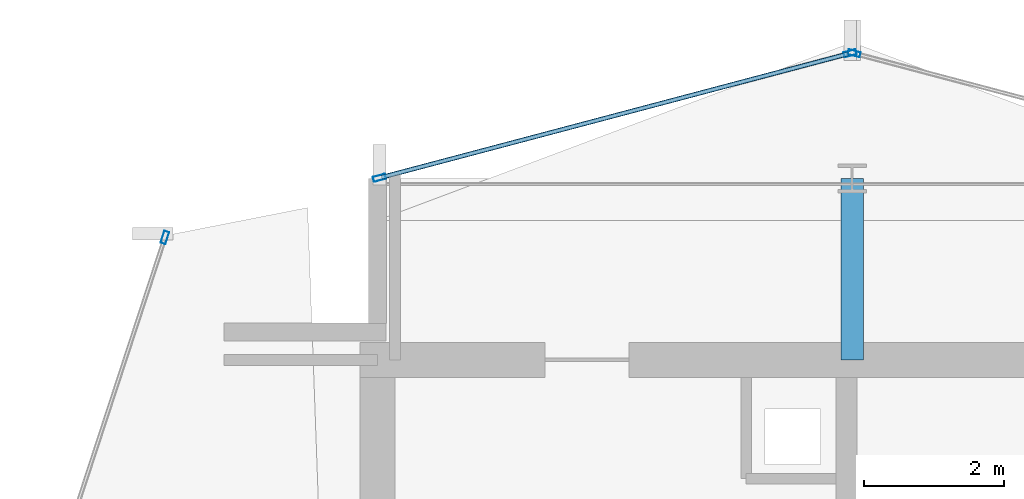
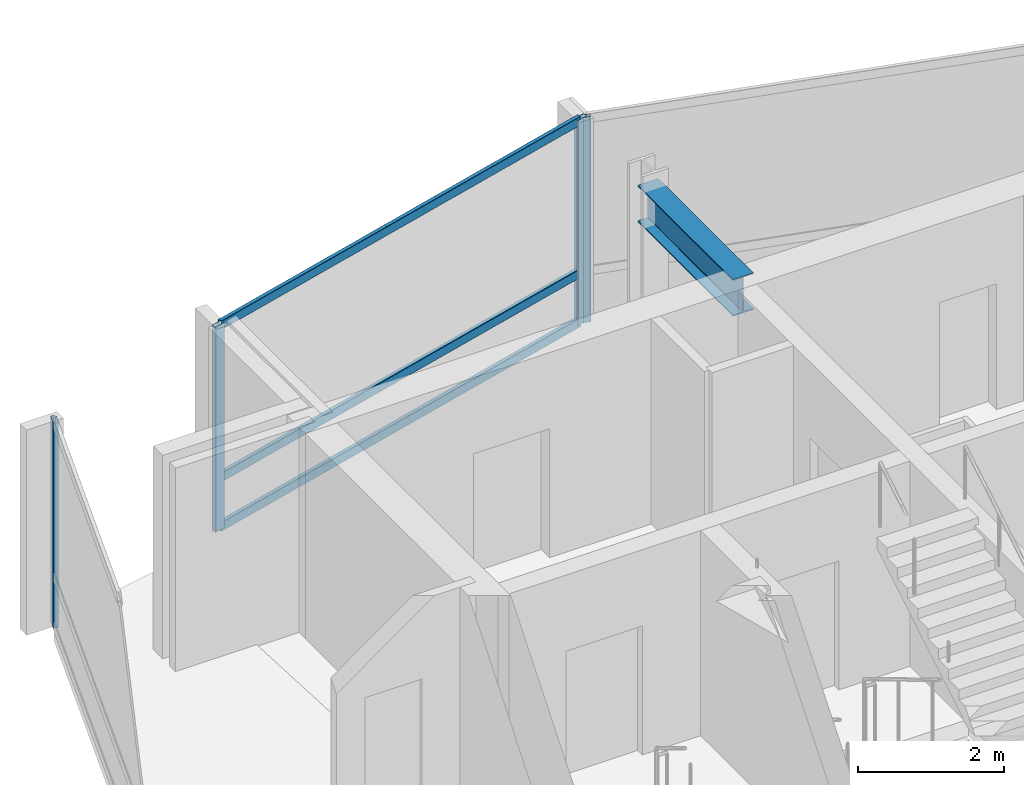
# One storey, part 16 of 27: 7 members, 1 beam, 3 elements without a shape of their own.
"""IFC4 building model written with IfcOpenShell, lengths in metres."""

from ifc_helpers import new_model, si_unit, direction, frame, origin, origin_2d, place, context, subcontext, project, spatial, hollow_rectangle, i_section, extrude, material, layer, layer_set, material_profile, profile_set, type_object, element, aggregate, save


model = new_model("IFC4")

# Units and contexts
model_context = context("Model", 3, precision=1e-05, world=origin(), true_north=direction((0.0, 1.0)))
body_context = subcontext(model_context, "Body", "Model", "MODEL_VIEW")
ifc_project = project(units=[si_unit("LENGTHUNIT", "METRE"), si_unit("AREAUNIT", "SQUARE_METRE"), si_unit("VOLUMEUNIT", "CUBIC_METRE"), si_unit("PLANEANGLEUNIT", "RADIAN"), si_unit("MASSUNIT", "GRAM", prefix="KILO")], contexts=[model_context])

# Site, building, storey
site_placement = place(None, origin())
site = spatial("IfcSite", under=ifc_project, at=site_placement, CompositionType="ELEMENT")
building_placement = place(site_placement, origin())
building = spatial("IfcBuilding", under=site, at=building_placement, Name="Solvaryn Broadcast Tower", CompositionType="ELEMENT")
storey_placement = place(building_placement, frame((0.0, 0.0, 185.300048828125)))
storey = spatial("IfcBuildingStorey", under=building, at=storey_placement, Name="L46", CompositionType="ELEMENT", Elevation=185.300048828125)

# Beam
ifc_material_1 = material(Name="Steel ASTM A992 Grade 50", Category="steel")
ifc_material_profile_1 = material_profile(ifc_material_1, i_section(OverallWidth=0.323974609375, OverallDepth=0.611083984375, WebThickness=0.0126953125, FlangeThickness=0.01904296875, FilletRadius=0.014892578125, at=origin_2d()))
ifc_profile_set_1 = profile_set([ifc_material_profile_1], Name="Steel ASTM A992 Grade 50")
beam_type = type_object("IfcBeamType", Name="BM-B1-W24X104", PredefinedType="BEAM", material=ifc_profile_set_1)
beam_placement = place(storey_placement, frame((18.0, 42.39990234375, 3.114501953125), z_axis=(0.0, 1.0, 0.0), x_axis=(-1.0, 0.0, 0.0)))
element("IfcBeam", 1, at=beam_placement, inside=storey, type_object=beam_type, Name="L46 Core Tie Beam CTW3", PredefinedType="BEAM", context=body_context, shape_type="SweptSolid", body=[
    extrude(i_section(OverallWidth=0.323974609375, OverallDepth=0.611083984375, WebThickness=0.0126953125, FlangeThickness=0.01904296875, FilletRadius=0.014892578125, at=origin_2d()), origin(), (0.0, 0.0, 1.0), 2.60009765625),
])

# Curtain wall, member
ifc_material_2 = material(Name="Aluminium and Terracotta Unitised Curtain Wall", Category="masonry")
ifc_layer = layer(ifc_material_2, 0.199951171875)
ifc_layer_set = layer_set([ifc_layer], Name="CW-SYS2-LOWMID")
curtain_wall_type = type_object("IfcCurtainWallType", Name="CW-SYS2-LOWMID", PredefinedType="NOTDEFINED", material=ifc_layer_set)
curtain_wall_1_placement = place(storey_placement, origin())
curtain_wall_1 = element("IfcCurtainWall", 2, at=curtain_wall_1_placement, inside=storey, type_object=curtain_wall_type, Name="L46 Curtain Wall DR1", PredefinedType="NOTDEFINED")
ifc_material_3 = material(Name="Anodised Aluminium 6063-T6", Category="aluminium")
ifc_material_profile_2 = material_profile(ifc_material_3, hollow_rectangle(XDim=0.074951171875, YDim=0.179931640625, WallThickness=0.00390625, InnerFilletRadius=0.00390625, OuterFilletRadius=0.008056640625, at=origin_2d()))
ifc_profile_set_2 = profile_set([ifc_material_profile_2], Name="Anodised Aluminium 6063-T6")
member_type_1 = type_object("IfcMemberType", Name="CW-MUL-180", PredefinedType="MULLION", material=ifc_profile_set_2)
member_1_placement = place(storey_placement, frame((8.153564453125, 44.153564453125, 0.0), z_axis=(0.0, 0.0, 1.0), x_axis=(0.950226902099, -0.311558717623, 0.0)))
member_1 = element("IfcMember", 3, at=member_1_placement, type_object=member_type_1, Name="CWS2 mullion 1", PredefinedType="MULLION", context=body_context, shape_type="SweptSolid", body=[
    extrude(hollow_rectangle(XDim=0.074951171875, YDim=0.179931640625, WallThickness=0.00390625, InnerFilletRadius=0.00390625, OuterFilletRadius=0.008056640625, at=origin_2d()), origin(), (0.0, 0.0, 1.0), 3.419921875),
])
aggregate(curtain_wall_1, [member_1])

curtain_wall_2_placement = place(storey_placement, origin())
curtain_wall_2 = element("IfcCurtainWall", 4, at=curtain_wall_2_placement, inside=storey, type_object=curtain_wall_type, Name="L46 Curtain Wall NT1", PredefinedType="NOTDEFINED")
member_2_placement = place(storey_placement, frame((18.029052734375, 46.792236328125, 0.0), z_axis=(0.0, 0.0, 1.0), x_axis=(-0.25589256031, -0.966705227863, 0.0)))
member_2 = element("IfcMember", 5, at=member_2_placement, type_object=member_type_1, Name="CWS2 mullion 2", PredefinedType="MULLION", context=body_context, shape_type="SweptSolid", body=[
    extrude(hollow_rectangle(XDim=0.074951171875, YDim=0.179931640625, WallThickness=0.00390625, InnerFilletRadius=0.00390625, OuterFilletRadius=0.008056640625, at=origin_2d()), origin(), (0.0, 0.0, 1.0), 3.419921875),
])
aggregate(curtain_wall_2, [member_2])

# Curtain wall, members
curtain_wall_3_placement = place(storey_placement, origin())
curtain_wall_3 = element("IfcCurtainWall", 6, at=curtain_wall_3_placement, inside=storey, type_object=curtain_wall_type, Name="L46 Curtain Wall NT2", PredefinedType="NOTDEFINED")
member_3_placement = place(storey_placement, frame((17.970947265625, 46.792236328125, 0.0), z_axis=(0.0, 0.0, 1.0), x_axis=(0.25589256031, -0.966705227863, 0.0)))
member_3 = element("IfcMember", 7, at=member_3_placement, type_object=member_type_1, Name="CWS2 mullion 1", PredefinedType="MULLION", context=body_context, shape_type="SweptSolid", body=[
    extrude(hollow_rectangle(XDim=0.074951171875, YDim=0.179931640625, WallThickness=0.00390625, InnerFilletRadius=0.00390625, OuterFilletRadius=0.008056640625, at=origin_2d()), origin(), (0.0, 0.0, 1.0), 3.419921875),
])
member_4_placement = place(storey_placement, frame((11.22900390625, 45.007568359375, 0.0), z_axis=(0.0, 0.0, 1.0), x_axis=(0.25589256031, -0.966705227863, 0.0)))
member_4 = element("IfcMember", 8, at=member_4_placement, type_object=member_type_1, Name="CWS2 mullion 2", PredefinedType="MULLION", context=body_context, shape_type="SweptSolid", body=[
    extrude(hollow_rectangle(XDim=0.074951171875, YDim=0.179931640625, WallThickness=0.00390625, InnerFilletRadius=0.00390625, OuterFilletRadius=0.008056640625, at=origin_2d()), origin(), (0.0, 0.0, 1.0), 3.419921875),
])
ifc_material_4 = material(Name="Anodised Aluminium 6063-T6", Category="aluminium")
ifc_material_profile_3 = material_profile(ifc_material_4, hollow_rectangle(XDim=0.06494140625, YDim=0.14990234375, WallThickness=0.00390625, InnerFilletRadius=0.00390625, OuterFilletRadius=0.008056640625, at=origin_2d()))
ifc_profile_set_3 = profile_set([ifc_material_profile_3], Name="Anodised Aluminium 6063-T6")
member_type_2 = type_object("IfcMemberType", Name="CW-TRN-150", PredefinedType="USERDEFINED", material=ifc_profile_set_3)
member_5_placement = place(storey_placement, frame((17.94189453125, 46.78466796875, 0.030029296875), z_axis=(-0.966703943301, -0.255897413051, 0.0), x_axis=(0.255897413051, -0.966703943301, 0.0)))
member_5 = element("IfcMember", 9, at=member_5_placement, type_object=member_type_2, Name="CWS2 transom 1.1", ObjectType="TRANSOM", PredefinedType="USERDEFINED", context=body_context, shape_type="SweptSolid", body=[
    extrude(hollow_rectangle(XDim=0.06494140625, YDim=0.14990234375, WallThickness=0.00390625, InnerFilletRadius=0.00390625, OuterFilletRadius=0.008056640625, at=origin_2d()), origin(), (0.0, 0.0, 1.0), 6.9140625),
])
member_6_placement = place(storey_placement, frame((17.94189453125, 46.78466796875, 0.849853515625), z_axis=(-0.966703943301, -0.255897413051, 0.0), x_axis=(0.255897413051, -0.966703943301, 0.0)))
member_6 = element("IfcMember", 10, at=member_6_placement, type_object=member_type_2, Name="CWS2 transom 1.2", ObjectType="TRANSOM", PredefinedType="USERDEFINED", context=body_context, shape_type="SweptSolid", body=[
    extrude(hollow_rectangle(XDim=0.06494140625, YDim=0.14990234375, WallThickness=0.00390625, InnerFilletRadius=0.00390625, OuterFilletRadius=0.008056640625, at=origin_2d()), origin(), (0.0, 0.0, 1.0), 6.9140625),
])
member_7_placement = place(storey_placement, frame((17.94189453125, 46.78466796875, 3.389892578125), z_axis=(-0.966703943301, -0.255897413051, 0.0), x_axis=(0.255897413051, -0.966703943301, 0.0)))
member_7 = element("IfcMember", 11, at=member_7_placement, type_object=member_type_2, Name="CWS2 transom 1.3", ObjectType="TRANSOM", PredefinedType="USERDEFINED", context=body_context, shape_type="SweptSolid", body=[
    extrude(hollow_rectangle(XDim=0.06494140625, YDim=0.14990234375, WallThickness=0.00390625, InnerFilletRadius=0.00390625, OuterFilletRadius=0.008056640625, at=origin_2d()), origin(), (0.0, 0.0, 1.0), 6.9140625),
])
aggregate(curtain_wall_3, [member_3, member_4, member_5, member_6, member_7])

save(model, "model.ifc")
